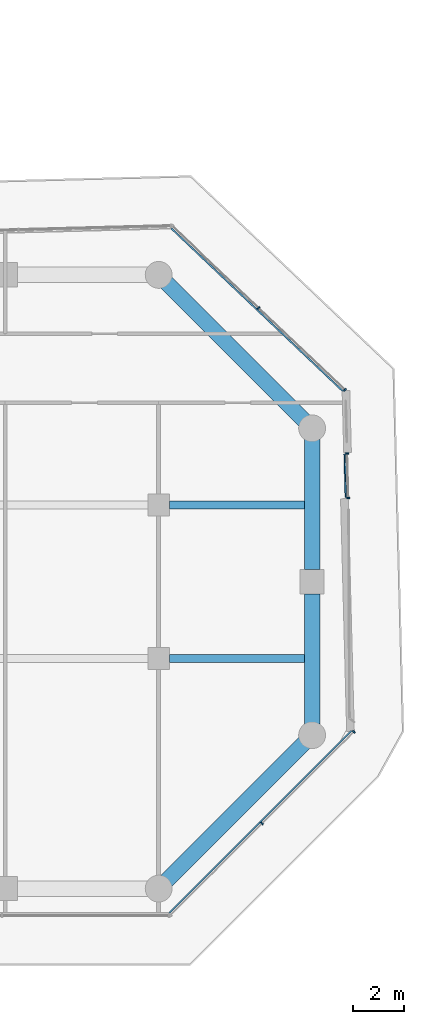
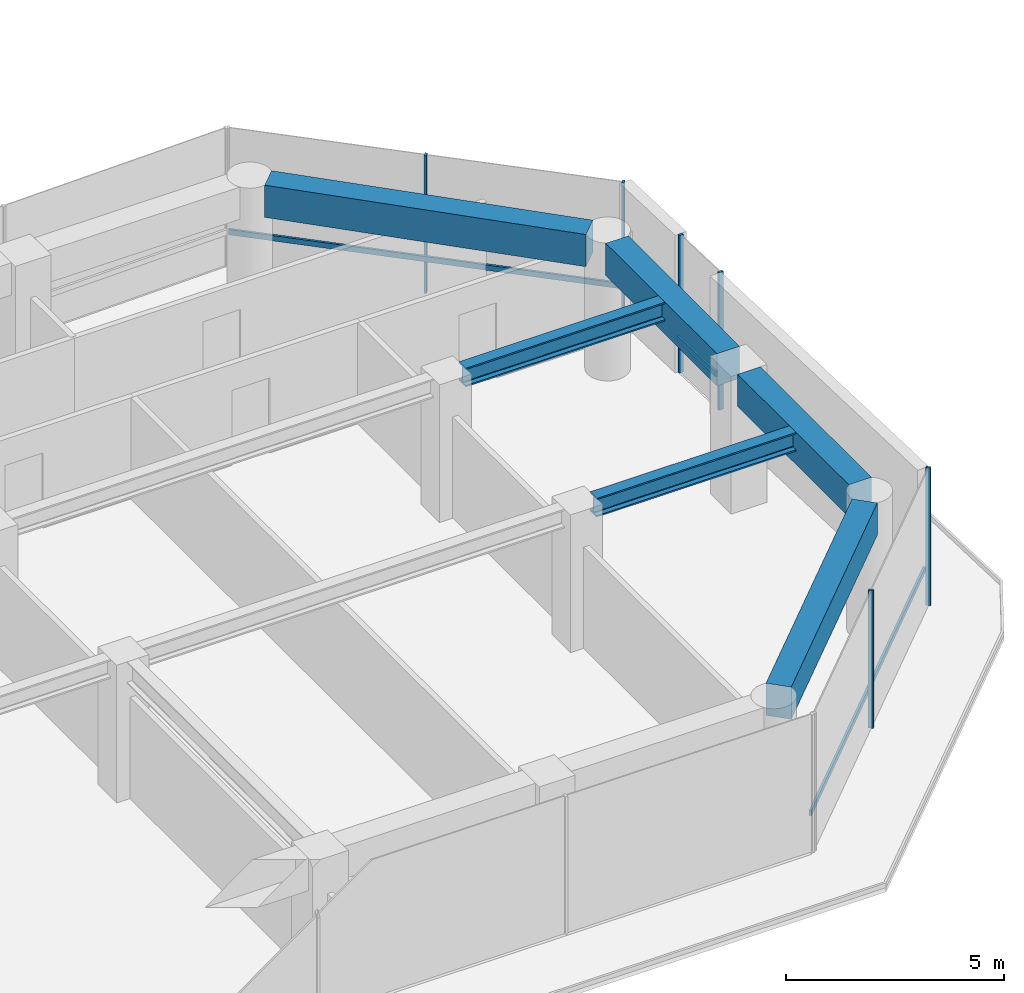
# One storey, part 20 of 29: 9 members, 6 beams, 3 elements without a shape of their own.
"""IFC4 building model written with IfcOpenShell, lengths in metres."""

from ifc_helpers import new_model, si_unit, direction, frame, origin, origin_2d, place, context, subcontext, project, spatial, rectangle, i_section, extrude, material, layer, layer_set, material_profile, profile_set, type_object, element, aggregate, save


model = new_model("IFC4")

# Units and contexts
model_context = context("Model", 3, precision=1e-05, world=origin(), true_north=direction((0.0, 1.0)))
body_context = subcontext(model_context, "Body", "Model", "MODEL_VIEW")
ifc_project = project(units=[si_unit("LENGTHUNIT", "METRE"), si_unit("AREAUNIT", "SQUARE_METRE"), si_unit("VOLUMEUNIT", "CUBIC_METRE"), si_unit("PLANEANGLEUNIT", "RADIAN"), si_unit("MASSUNIT", "GRAM", prefix="KILO")], contexts=[model_context])

# Site, building, storey
site_placement = place(None, origin())
site = spatial("IfcSite", under=ifc_project, at=site_placement, CompositionType="ELEMENT")
building_placement = place(site_placement, origin())
building = spatial("IfcBuilding", under=site, at=building_placement, Name="Welwitschia Terrace Campus", CompositionType="ELEMENT")
storey_placement = place(building_placement, frame((0.0, 0.0, 58.39990234375)))
storey = spatial("IfcBuildingStorey", under=building, at=storey_placement, Name="L13", CompositionType="ELEMENT", Elevation=58.39990234375)

# Beams
ifc_material_1 = material(Name="Steel S355", Category="steel")
ifc_material_profile_1 = material_profile(ifc_material_1, i_section(OverallWidth=0.305908203125, OverallDepth=0.52392578125, WebThickness=0.02099609375, FlangeThickness=0.0400390625, FilletRadius=0.027099609375, at=origin_2d()))
ifc_profile_set_1 = profile_set([ifc_material_profile_1], Name="Steel S355")
beam_type_1 = type_object("IfcBeamType", Name="Interior girder HE 500 M", PredefinedType="BEAM", material=ifc_profile_set_1)
for number, where, z_axis, x_axis, name in (
    (1, (60.425537109375, 5.0, 3.588134765625), (1.0, 0.0, 0.0), (0.0, 1.0, 0.0), "Girder GB2"),
    (2, (60.425537109375, 11.0, 3.588134765625), (1.0, 0.0, 0.0), (0.0, 1.0, 0.0), "Girder GB2"),
):
    element("IfcBeam", number, at=place(storey_placement, frame(where, z_axis=z_axis, x_axis=x_axis)), inside=storey, type_object=beam_type_1, Name=name, PredefinedType="BEAM", context=body_context, shape_type="SweptSolid", body=[
        extrude(i_section(OverallWidth=0.305908203125, OverallDepth=0.52392578125, WebThickness=0.02099609375, FlangeThickness=0.0400390625, FilletRadius=0.027099609375, at=origin_2d()), origin(), (0.0, 0.0, 1.0), 5.58447265625),
    ])

# Curtain wall, members
ifc_material_2 = material(Name="Bronze anodised aluminium", Category="aluminium")
ifc_layer = layer(ifc_material_2, 0.1201171875)
ifc_layer_set = layer_set([ifc_layer], Name="Bronze anodised aluminium")
curtain_wall_type = type_object("IfcCurtainWallType", Name="Curtain wall CW2 tower 6000", PredefinedType="NOTDEFINED", material=ifc_layer_set)
curtain_wall_1_placement = place(storey_placement, origin())
curtain_wall_1 = element("IfcCurtainWall", 3, at=curtain_wall_1_placement, inside=storey, type_object=curtain_wall_type, Name="CW L13.4.0", PredefinedType="NOTDEFINED")
ifc_material_3 = material(Name="Bronze anodised aluminium", Category="aluminium")
ifc_material_profile_2 = material_profile(ifc_material_3, rectangle(XDim=0.1201171875, YDim=0.06005859375, at=origin_2d()))
ifc_profile_set_2 = profile_set([ifc_material_profile_2], Name="Bronze anodised aluminium")
member_type_1 = type_object("IfcMemberType", Name="Mullion 60x120", PredefinedType="MULLION", material=ifc_profile_set_2)
member_1_placement = place(storey_placement, frame((64.044677734375, -1.45166015625, 0.0), z_axis=(0.0, 0.0, 1.0), x_axis=(-0.707106781187, 0.707106781187, 0.0)))
member_1 = element("IfcMember", 4, at=member_1_placement, type_object=member_type_1, Name="Mullion L13.4.0.1", PredefinedType="MULLION", context=body_context, shape_type="SweptSolid", body=[
    extrude(rectangle(XDim=0.1201171875, YDim=0.06005859375, at=origin_2d()), origin(), (0.0, 0.0, 1.0), 3.85009765625),
])
member_2_placement = place(storey_placement, frame((67.6298828125, 2.1337890625, 0.0), z_axis=(0.0, 0.0, 1.0), x_axis=(-0.707106781187, 0.707106781187, 0.0)))
member_2 = element("IfcMember", 5, at=member_2_placement, type_object=member_type_1, Name="Mullion L13.4.0.2", PredefinedType="MULLION", context=body_context, shape_type="SweptSolid", body=[
    extrude(rectangle(XDim=0.1201171875, YDim=0.06005859375, at=origin_2d()), origin(), (0.0, 0.0, 1.0), 3.85009765625),
])

curtain_wall_2_placement = place(storey_placement, origin())
curtain_wall_2 = element("IfcCurtainWall", 6, at=curtain_wall_2_placement, inside=storey, type_object=curtain_wall_type, Name="CW L13.5.S0", PredefinedType="NOTDEFINED")
member_3_placement = place(storey_placement, frame((67.412109375, 11.281494140625, 0.0), z_axis=(0.0, 0.0, 1.0), x_axis=(-0.999657324976, -0.026176948308, 0.0)))
member_3 = element("IfcMember", 7, at=member_3_placement, type_object=member_type_1, Name="Mullion L13.5.S0.0", PredefinedType="MULLION", context=body_context, shape_type="SweptSolid", body=[
    extrude(rectangle(XDim=0.1201171875, YDim=0.06005859375, at=origin_2d()), origin(), (0.0, 0.0, 1.0), 3.85009765625),
])
member_4_placement = place(storey_placement, frame((67.36669921875, 13.020751953125, 0.0), z_axis=(0.0, 0.0, 1.0), x_axis=(-0.999657324976, -0.026176948308, 0.0)))
member_4 = element("IfcMember", 8, at=member_4_placement, type_object=member_type_1, Name="Mullion L13.5.S0.1", PredefinedType="MULLION", context=body_context, shape_type="SweptSolid", body=[
    extrude(rectangle(XDim=0.1201171875, YDim=0.06005859375, at=origin_2d()), origin(), (0.0, 0.0, 1.0), 3.85009765625),
])

curtain_wall_3_placement = place(storey_placement, origin())
curtain_wall_3 = element("IfcCurtainWall", 9, at=curtain_wall_3_placement, inside=storey, type_object=curtain_wall_type, Name="CW L13.6.0", PredefinedType="NOTDEFINED")
member_5_placement = place(storey_placement, frame((67.2802734375, 15.50390625, 0.0), z_axis=(0.0, 0.0, 1.0), x_axis=(-0.688354575694, -0.725374371012, 0.0)))
member_5 = element("IfcMember", 10, at=member_5_placement, type_object=member_type_1, Name="Mullion L13.6.0.0", PredefinedType="MULLION", context=body_context, shape_type="SweptSolid", body=[
    extrude(rectangle(XDim=0.1201171875, YDim=0.06005859375, at=origin_2d()), origin(), (0.0, 0.0, 1.0), 3.85009765625),
])
member_6_placement = place(storey_placement, frame((63.90673828125, 18.705322265625, 0.0), z_axis=(0.0, 0.0, 1.0), x_axis=(-0.688354575694, -0.725374371012, 0.0)))
member_6 = element("IfcMember", 11, at=member_6_placement, type_object=member_type_1, Name="Mullion L13.6.0.1", PredefinedType="MULLION", context=body_context, shape_type="SweptSolid", body=[
    extrude(rectangle(XDim=0.1201171875, YDim=0.06005859375, at=origin_2d()), origin(), (0.0, 0.0, 1.0), 3.85009765625),
])

# Beams
ifc_material_4 = material(Name="Concrete C60/75", Category="concrete")
ifc_material_profile_3 = material_profile(ifc_material_4, rectangle(XDim=0.60009765625, YDim=0.89990234375, at=origin_2d()))
ifc_profile_set_3 = profile_set([ifc_material_profile_3], Name="Concrete C60/75")
beam_type_2 = type_object("IfcBeamType", Name="Ring spandrel 600x900", PredefinedType="SPANDREL", material=ifc_profile_set_3)
beam_1_placement = place(storey_placement, frame((60.30517578125, -3.69482421875, 3.400146484375), z_axis=(0.707106781187, 0.707106781187, 0.0), x_axis=(-0.707106781187, 0.707106781187, 0.0)))
element("IfcBeam", 12, at=beam_1_placement, inside=storey, type_object=beam_type_2, Name="Spandrel SP2", PredefinedType="SPANDREL", context=body_context, shape_type="SweptSolid", body=[
    extrude(rectangle(XDim=0.60009765625, YDim=0.89990234375, at=origin_2d()), origin(), (0.0, 0.0, 1.0), 7.6220703125),
])
for number, where, z_axis, x_axis, name in (
    (13, (66.0, 2.431396484375, 3.400146484375), (0.0, 1.0, 0.0), (-1.0, 0.0, 0.0), "Spandrel SP2"),
    (14, (66.0, 8.4755859375, 3.400146484375), (0.0, 1.0, 0.0), (-1.0, 0.0, 0.0), "Spandrel SP2"),
):
    element("IfcBeam", number, at=place(storey_placement, frame(where, z_axis=z_axis, x_axis=x_axis)), inside=storey, type_object=beam_type_2, Name=name, PredefinedType="SPANDREL", context=body_context, shape_type="SweptSolid", body=[
        extrude(rectangle(XDim=0.60009765625, YDim=0.89990234375, at=origin_2d()), origin(), (0.0, 0.0, 1.0), 5.093017578125),
    ])
beam_2_placement = place(storey_placement, frame((65.69482421875, 14.30517578125, 3.400146484375), z_axis=(-0.707106781187, 0.707106781187, 0.0), x_axis=(-0.707106781187, -0.707106781187, 0.0)))
element("IfcBeam", 15, at=beam_2_placement, inside=storey, type_object=beam_type_2, Name="Spandrel SP2", PredefinedType="SPANDREL", context=body_context, shape_type="SweptSolid", body=[
    extrude(rectangle(XDim=0.60009765625, YDim=0.89990234375, at=origin_2d()), origin(), (0.0, 0.0, 1.0), 7.6220703125),
])

# Member
ifc_material_5 = material(Name="Bronze anodised aluminium", Category="aluminium")
ifc_material_profile_4 = material_profile(ifc_material_5, rectangle(XDim=0.06005859375, YDim=0.14990234375, at=origin_2d()))
ifc_profile_set_4 = profile_set([ifc_material_profile_4], Name="Bronze anodised aluminium")
member_type_2 = type_object("IfcMemberType", Name="Transom 60x150", PredefinedType="USERDEFINED", material=ifc_profile_set_4)
member_7_placement = place(storey_placement, frame((60.4169921875, -4.951904296875, 1.0), z_axis=(0.707118890527, 0.707094671639, 0.0), x_axis=(-0.707094671639, 0.707118890527, 0.0)))
member_7 = element("IfcMember", 16, at=member_7_placement, type_object=member_type_2, Name="Transom L13.4.0", ObjectType="TRANSOM", PredefinedType="USERDEFINED", context=body_context, shape_type="SweptSolid", body=[
    extrude(rectangle(XDim=0.06005859375, YDim=0.14990234375, at=origin_2d()), origin(), (0.0, 0.0, 1.0), 10.08056640625),
])

aggregate(curtain_wall_1, [member_1, member_2, member_7])

member_8_placement = place(storey_placement, frame((67.3212890625, 11.30908203125, 1.0), z_axis=(-0.026157640568, 0.99965783038, 0.0), x_axis=(-0.99965783038, -0.026157640568, 0.0)))
member_8 = element("IfcMember", 17, at=member_8_placement, type_object=member_type_2, Name="Transom L13.5.S0", ObjectType="TRANSOM", PredefinedType="USERDEFINED", context=body_context, shape_type="SweptSolid", body=[
    extrude(rectangle(XDim=0.06005859375, YDim=0.14990234375, at=origin_2d()), origin(), (0.0, 0.0, 1.0), 1.679931640625),
])

aggregate(curtain_wall_2, [member_3, member_4, member_8])

member_9_placement = place(storey_placement, frame((67.196533203125, 15.459228515625, 1.0), z_axis=(-0.725370005865, 0.68835917557, 0.0), x_axis=(-0.68835917557, -0.725370005865, 0.0)))
member_9 = element("IfcMember", 18, at=member_9_placement, type_object=member_type_2, Name="Transom L13.6.0", ObjectType="TRANSOM", PredefinedType="USERDEFINED", context=body_context, shape_type="SweptSolid", body=[
    extrude(rectangle(XDim=0.06005859375, YDim=0.14990234375, at=origin_2d()), origin(), (0.0, 0.0, 1.0), 9.24169921875),
])

aggregate(curtain_wall_3, [member_5, member_6, member_9])

save(model, "model.ifc")
